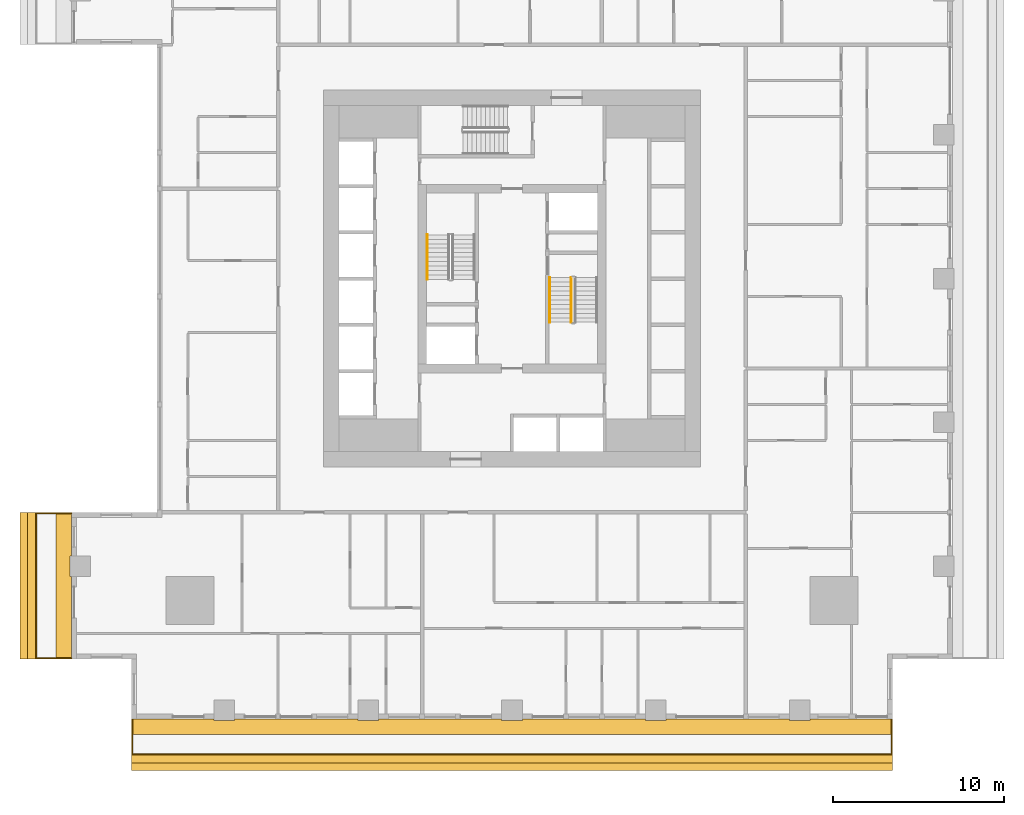
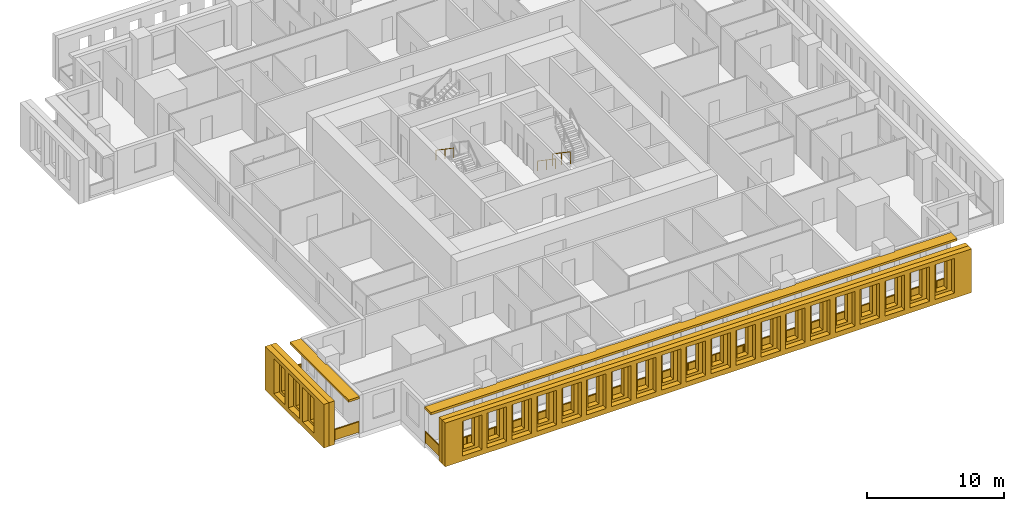
# One storey, part 10 of 14: 6 shading devices, 5 railings.
"""IFC4 building model written with IfcOpenShell, lengths in metres."""

from ifc_helpers import new_model, si_unit, direction, frame, origin, origin_2d, place, context, subcontext, project, spatial, polyline, rectangle, outline, extrude, material, layer, layer_set, type_object, element, save


model = new_model("IFC4")

# Units and contexts
model_context = context("Model", 3, precision=1e-05, world=origin(), true_north=direction((0.0, 1.0)))
body_context = subcontext(model_context, "Body", "Model", "MODEL_VIEW")
ifc_project = project(units=[si_unit("LENGTHUNIT", "METRE"), si_unit("AREAUNIT", "SQUARE_METRE"), si_unit("VOLUMEUNIT", "CUBIC_METRE"), si_unit("PLANEANGLEUNIT", "RADIAN"), si_unit("MASSUNIT", "GRAM", prefix="KILO")], contexts=[model_context])

# Site, building, storey
site_placement = place(None, origin())
site = spatial("IfcSite", under=ifc_project, at=site_placement, CompositionType="ELEMENT")
building_placement = place(site_placement, origin())
building = spatial("IfcBuilding", under=site, at=building_placement, Name="Khepri Terraces", CompositionType="ELEMENT")
storey_placement = place(building_placement, frame((0.0, 0.0, 122.10009765625)))
storey = spatial("IfcBuildingStorey", under=building, at=storey_placement, Name="L29", CompositionType="ELEMENT", Elevation=122.10009765625)

# Railings
ifc_material_1 = material(Name="Stainless steel grade 316", Category="steel")
railing_type_1 = type_object("IfcRailingType", Name="GRD-BAL-1100", PredefinedType="GUARDRAIL", material=ifc_material_1)
railing_1_placement = place(storey_placement, frame((-22.169921875, -25.719970703125, 0.0)))
element("IfcRailing", 1, at=railing_1_placement, inside=storey, type_object=railing_type_1, Name="Balcony guard L29 S", PredefinedType="GUARDRAIL", context=body_context, shape_type="SweptSolid", body=[
    extrude(rectangle(XDim=0.050048828125, YDim=0.06005859375, at=origin_2d()), frame((0.0, 0.0, 1.070068359375), z_axis=(0.0, -1.0, 0.0), x_axis=(1.0, 0.0, 0.0)), (0.0, 0.0, 1.0), 2.050048828125),
    extrude(rectangle(XDim=2.0, YDim=0.011962890625, at=origin_2d()), frame((0.0, -1.02490234375, 0.10009765625), z_axis=(0.0, 0.0, 1.0), x_axis=(0.0, -1.0, 0.0)), (0.0, 0.0, 1.0), 0.93994140625),
    extrude(rectangle(XDim=0.050048828125, YDim=0.06005859375, at=origin_2d()), frame((0.0, -2.050048828125, 1.070068359375), z_axis=(1.0, 0.0, 0.0), x_axis=(0.0, 1.0, 0.0)), (0.0, 0.0, 1.0), 44.33984375),
    extrude(rectangle(XDim=2.28369140625, YDim=0.011962890625, at=origin_2d()), frame((1.166748046875, -2.050048828125, 0.10009765625), z_axis=(0.0, 0.0, 1.0), x_axis=(1.0, 0.0, 0.0)), (0.0, 0.0, 1.0), 0.93994140625),
    extrude(rectangle(XDim=2.28369140625, YDim=0.011962890625, at=origin_2d()), frame((3.50048828125, -2.050048828125, 0.10009765625), z_axis=(0.0, 0.0, 1.0), x_axis=(1.0, 0.0, 0.0)), (0.0, 0.0, 1.0), 0.93994140625),
    extrude(rectangle(XDim=2.28369140625, YDim=0.011962890625, at=origin_2d()), frame((5.834228515625, -2.050048828125, 0.10009765625), z_axis=(0.0, 0.0, 1.0), x_axis=(1.0, 0.0, 0.0)), (0.0, 0.0, 1.0), 0.93994140625),
    extrude(rectangle(XDim=2.28369140625, YDim=0.011962890625, at=origin_2d()), frame((8.16796875, -2.050048828125, 0.10009765625), z_axis=(0.0, 0.0, 1.0), x_axis=(1.0, 0.0, 0.0)), (0.0, 0.0, 1.0), 0.93994140625),
    extrude(rectangle(XDim=2.28369140625, YDim=0.011962890625, at=origin_2d()), frame((10.50146484375, -2.050048828125, 0.10009765625), z_axis=(0.0, 0.0, 1.0), x_axis=(1.0, 0.0, 0.0)), (0.0, 0.0, 1.0), 0.93994140625),
    extrude(rectangle(XDim=2.28369140625, YDim=0.011962890625, at=origin_2d()), frame((12.835205078125, -2.050048828125, 0.10009765625), z_axis=(0.0, 0.0, 1.0), x_axis=(1.0, 0.0, 0.0)), (0.0, 0.0, 1.0), 0.93994140625),
    extrude(rectangle(XDim=2.28369140625, YDim=0.011962890625, at=origin_2d()), frame((15.1689453125, -2.050048828125, 0.10009765625), z_axis=(0.0, 0.0, 1.0), x_axis=(1.0, 0.0, 0.0)), (0.0, 0.0, 1.0), 0.93994140625),
    extrude(rectangle(XDim=2.28369140625, YDim=0.011962890625, at=origin_2d()), frame((17.502685546875, -2.050048828125, 0.10009765625), z_axis=(0.0, 0.0, 1.0), x_axis=(1.0, 0.0, 0.0)), (0.0, 0.0, 1.0), 0.93994140625),
    extrude(rectangle(XDim=2.28369140625, YDim=0.011962890625, at=origin_2d()), frame((19.836181640625, -2.050048828125, 0.10009765625), z_axis=(0.0, 0.0, 1.0), x_axis=(1.0, 0.0, 0.0)), (0.0, 0.0, 1.0), 0.93994140625),
    extrude(rectangle(XDim=2.28369140625, YDim=0.011962890625, at=origin_2d()), frame((22.169921875, -2.050048828125, 0.10009765625), z_axis=(0.0, 0.0, 1.0), x_axis=(1.0, 0.0, 0.0)), (0.0, 0.0, 1.0), 0.93994140625),
    extrude(rectangle(XDim=2.28369140625, YDim=0.011962890625, at=origin_2d()), frame((24.503662109375, -2.050048828125, 0.10009765625), z_axis=(0.0, 0.0, 1.0), x_axis=(1.0, 0.0, 0.0)), (0.0, 0.0, 1.0), 0.93994140625),
    extrude(rectangle(XDim=2.28369140625, YDim=0.011962890625, at=origin_2d()), frame((26.837158203125, -2.050048828125, 0.10009765625), z_axis=(0.0, 0.0, 1.0), x_axis=(1.0, 0.0, 0.0)), (0.0, 0.0, 1.0), 0.93994140625),
    extrude(rectangle(XDim=2.28369140625, YDim=0.011962890625, at=origin_2d()), frame((29.1708984375, -2.050048828125, 0.10009765625), z_axis=(0.0, 0.0, 1.0), x_axis=(1.0, 0.0, 0.0)), (0.0, 0.0, 1.0), 0.93994140625),
    extrude(rectangle(XDim=2.28369140625, YDim=0.011962890625, at=origin_2d()), frame((31.504638671875, -2.050048828125, 0.10009765625), z_axis=(0.0, 0.0, 1.0), x_axis=(1.0, 0.0, 0.0)), (0.0, 0.0, 1.0), 0.93994140625),
    extrude(rectangle(XDim=2.28369140625, YDim=0.011962890625, at=origin_2d()), frame((33.83837890625, -2.050048828125, 0.10009765625), z_axis=(0.0, 0.0, 1.0), x_axis=(1.0, 0.0, 0.0)), (0.0, 0.0, 1.0), 0.93994140625),
    extrude(rectangle(XDim=2.28369140625, YDim=0.011962890625, at=origin_2d()), frame((36.171875, -2.050048828125, 0.10009765625), z_axis=(0.0, 0.0, 1.0), x_axis=(1.0, 0.0, 0.0)), (0.0, 0.0, 1.0), 0.93994140625),
    extrude(rectangle(XDim=2.28369140625, YDim=0.011962890625, at=origin_2d()), frame((38.505615234375, -2.050048828125, 0.10009765625), z_axis=(0.0, 0.0, 1.0), x_axis=(1.0, 0.0, 0.0)), (0.0, 0.0, 1.0), 0.93994140625),
    extrude(rectangle(XDim=2.28369140625, YDim=0.011962890625, at=origin_2d()), frame((40.83935546875, -2.050048828125, 0.10009765625), z_axis=(0.0, 0.0, 1.0), x_axis=(1.0, 0.0, 0.0)), (0.0, 0.0, 1.0), 0.93994140625),
    extrude(rectangle(XDim=2.28369140625, YDim=0.011962890625, at=origin_2d()), frame((43.173095703125, -2.050048828125, 0.10009765625), z_axis=(0.0, 0.0, 1.0), x_axis=(1.0, 0.0, 0.0)), (0.0, 0.0, 1.0), 0.93994140625),
    extrude(rectangle(XDim=0.050048828125, YDim=0.06005859375, at=origin_2d()), frame((44.33984375, -2.050048828125, 1.070068359375), z_axis=(0.0, 1.0, 0.0), x_axis=(-1.0, 0.0, 0.0)), (0.0, 0.0, 1.0), 2.050048828125),
    extrude(rectangle(XDim=2.0, YDim=0.011962890625, at=origin_2d()), frame((44.33984375, -1.02490234375, 0.10009765625), z_axis=(0.0, 0.0, 1.0), x_axis=(0.0, 1.0, 0.0)), (0.0, 0.0, 1.0), 0.93994140625),
    extrude(rectangle(XDim=0.050048828125, YDim=0.050048828125, at=origin_2d()), origin(), (0.0, 0.0, 1.0), 1.0400390625),
    extrude(rectangle(XDim=0.050048828125, YDim=0.050048828125, at=origin_2d()), frame((0.0, -2.050048828125, 0.0)), (0.0, 0.0, 1.0), 1.0400390625),
    extrude(rectangle(XDim=0.050048828125, YDim=0.050048828125, at=origin_2d()), frame((2.333740234375, -2.050048828125, 0.0)), (0.0, 0.0, 1.0), 1.0400390625),
    extrude(rectangle(XDim=0.050048828125, YDim=0.050048828125, at=origin_2d()), frame((4.667236328125, -2.050048828125, 0.0)), (0.0, 0.0, 1.0), 1.0400390625),
    extrude(rectangle(XDim=0.050048828125, YDim=0.050048828125, at=origin_2d()), frame((7.0009765625, -2.050048828125, 0.0)), (0.0, 0.0, 1.0), 1.0400390625),
    extrude(rectangle(XDim=0.050048828125, YDim=0.050048828125, at=origin_2d()), frame((9.334716796875, -2.050048828125, 0.0)), (0.0, 0.0, 1.0), 1.0400390625),
    extrude(rectangle(XDim=0.050048828125, YDim=0.050048828125, at=origin_2d()), frame((11.66845703125, -2.050048828125, 0.0)), (0.0, 0.0, 1.0), 1.0400390625),
    extrude(rectangle(XDim=0.050048828125, YDim=0.050048828125, at=origin_2d()), frame((14.001953125, -2.050048828125, 0.0)), (0.0, 0.0, 1.0), 1.0400390625),
    extrude(rectangle(XDim=0.050048828125, YDim=0.050048828125, at=origin_2d()), frame((16.335693359375, -2.050048828125, 0.0)), (0.0, 0.0, 1.0), 1.0400390625),
    extrude(rectangle(XDim=0.050048828125, YDim=0.050048828125, at=origin_2d()), frame((18.66943359375, -2.050048828125, 0.0)), (0.0, 0.0, 1.0), 1.0400390625),
    extrude(rectangle(XDim=0.050048828125, YDim=0.050048828125, at=origin_2d()), frame((21.003173828125, -2.050048828125, 0.0)), (0.0, 0.0, 1.0), 1.0400390625),
    extrude(rectangle(XDim=0.050048828125, YDim=0.050048828125, at=origin_2d()), frame((23.336669921875, -2.050048828125, 0.0)), (0.0, 0.0, 1.0), 1.0400390625),
    extrude(rectangle(XDim=0.050048828125, YDim=0.050048828125, at=origin_2d()), frame((25.67041015625, -2.050048828125, 0.0)), (0.0, 0.0, 1.0), 1.0400390625),
    extrude(rectangle(XDim=0.050048828125, YDim=0.050048828125, at=origin_2d()), frame((28.004150390625, -2.050048828125, 0.0)), (0.0, 0.0, 1.0), 1.0400390625),
    extrude(rectangle(XDim=0.050048828125, YDim=0.050048828125, at=origin_2d()), frame((30.337890625, -2.050048828125, 0.0)), (0.0, 0.0, 1.0), 1.0400390625),
    extrude(rectangle(XDim=0.050048828125, YDim=0.050048828125, at=origin_2d()), frame((32.67138671875, -2.050048828125, 0.0)), (0.0, 0.0, 1.0), 1.0400390625),
    extrude(rectangle(XDim=0.050048828125, YDim=0.050048828125, at=origin_2d()), frame((35.005126953125, -2.050048828125, 0.0)), (0.0, 0.0, 1.0), 1.0400390625),
    extrude(rectangle(XDim=0.050048828125, YDim=0.050048828125, at=origin_2d()), frame((37.3388671875, -2.050048828125, 0.0)), (0.0, 0.0, 1.0), 1.0400390625),
    extrude(rectangle(XDim=0.050048828125, YDim=0.050048828125, at=origin_2d()), frame((39.672607421875, -2.050048828125, 0.0)), (0.0, 0.0, 1.0), 1.0400390625),
    extrude(rectangle(XDim=0.050048828125, YDim=0.050048828125, at=origin_2d()), frame((42.006103515625, -2.050048828125, 0.0)), (0.0, 0.0, 1.0), 1.0400390625),
    extrude(rectangle(XDim=0.050048828125, YDim=0.050048828125, at=origin_2d()), frame((44.33984375, -2.050048828125, 0.0)), (0.0, 0.0, 1.0), 1.0400390625),
    extrude(rectangle(XDim=0.050048828125, YDim=0.050048828125, at=origin_2d()), frame((44.33984375, 0.0, 0.0)), (0.0, 0.0, 1.0), 1.0400390625),
])
railing_2_placement = place(storey_placement, frame((-25.719970703125, -13.699951171875, 0.0)))
element("IfcRailing", 2, at=railing_2_placement, inside=storey, type_object=railing_type_1, Name="Balcony guard L29 W", PredefinedType="GUARDRAIL", context=body_context, shape_type="SweptSolid", body=[
    extrude(rectangle(XDim=0.050048828125, YDim=0.06005859375, at=origin_2d()), frame((0.0, 0.0, 1.070068359375), z_axis=(-1.0, 0.0, 0.0), x_axis=(0.0, -1.0, 0.0)), (0.0, 0.0, 1.0), 2.050048828125),
    extrude(rectangle(XDim=2.0, YDim=0.011962890625, at=origin_2d()), frame((-1.02490234375, 0.0, 0.10009765625), z_axis=(0.0, 0.0, 1.0), x_axis=(-1.0, 0.0, 0.0)), (0.0, 0.0, 1.0), 0.93994140625),
    extrude(rectangle(XDim=0.050048828125, YDim=0.06005859375, at=origin_2d()), frame((-2.050048828125, 0.0, 1.070068359375), z_axis=(0.0, -1.0, 0.0), x_axis=(1.0, 0.0, 0.0)), (0.0, 0.0, 1.0), 8.469970703125),
    extrude(rectangle(XDim=2.0673828125, YDim=0.011962890625, at=origin_2d()), frame((-2.050048828125, -1.058837890625, 0.10009765625), z_axis=(0.0, 0.0, 1.0), x_axis=(0.0, -1.0, 0.0)), (0.0, 0.0, 1.0), 0.93994140625),
    extrude(rectangle(XDim=2.0673828125, YDim=0.011962890625, at=origin_2d()), frame((-2.050048828125, -3.17626953125, 0.10009765625), z_axis=(0.0, 0.0, 1.0), x_axis=(0.0, -1.0, 0.0)), (0.0, 0.0, 1.0), 0.93994140625),
    extrude(rectangle(XDim=2.0673828125, YDim=0.011962890625, at=origin_2d()), frame((-2.050048828125, -5.293701171875, 0.10009765625), z_axis=(0.0, 0.0, 1.0), x_axis=(0.0, -1.0, 0.0)), (0.0, 0.0, 1.0), 0.93994140625),
    extrude(rectangle(XDim=2.0673828125, YDim=0.011962890625, at=origin_2d()), frame((-2.050048828125, -7.4111328125, 0.10009765625), z_axis=(0.0, 0.0, 1.0), x_axis=(0.0, -1.0, 0.0)), (0.0, 0.0, 1.0), 0.93994140625),
    extrude(rectangle(XDim=0.050048828125, YDim=0.06005859375, at=origin_2d()), frame((-2.050048828125, -8.469970703125, 1.070068359375), z_axis=(1.0, 0.0, 0.0), x_axis=(0.0, 1.0, 0.0)), (0.0, 0.0, 1.0), 2.050048828125),
    extrude(rectangle(XDim=2.0, YDim=0.011962890625, at=origin_2d()), frame((-1.02490234375, -8.469970703125, 0.10009765625), z_axis=(0.0, 0.0, 1.0), x_axis=(1.0, 0.0, 0.0)), (0.0, 0.0, 1.0), 0.93994140625),
    extrude(rectangle(XDim=0.050048828125, YDim=0.050048828125, at=origin_2d()), origin(), (0.0, 0.0, 1.0), 1.0400390625),
    extrude(rectangle(XDim=0.050048828125, YDim=0.050048828125, at=origin_2d()), frame((-2.050048828125, 0.0, 0.0)), (0.0, 0.0, 1.0), 1.0400390625),
    extrude(rectangle(XDim=0.050048828125, YDim=0.050048828125, at=origin_2d()), frame((-2.050048828125, -2.117431640625, 0.0)), (0.0, 0.0, 1.0), 1.0400390625),
    extrude(rectangle(XDim=0.050048828125, YDim=0.050048828125, at=origin_2d()), frame((-2.050048828125, -4.23486328125, 0.0)), (0.0, 0.0, 1.0), 1.0400390625),
    extrude(rectangle(XDim=0.050048828125, YDim=0.050048828125, at=origin_2d()), frame((-2.050048828125, -6.3525390625, 0.0)), (0.0, 0.0, 1.0), 1.0400390625),
    extrude(rectangle(XDim=0.050048828125, YDim=0.050048828125, at=origin_2d()), frame((-2.050048828125, -8.469970703125, 0.0)), (0.0, 0.0, 1.0), 1.0400390625),
    extrude(rectangle(XDim=0.050048828125, YDim=0.050048828125, at=origin_2d()), frame((0.0, -8.469970703125, 0.0)), (0.0, 0.0, 1.0), 1.0400390625),
])
ifc_material_2 = material(Name="Stainless steel 316", Category="steel")
railing_type_2 = type_object("IfcRailingType", Name="RL-CORE-GUARD", PredefinedType="GUARDRAIL", material=ifc_material_2)
railing_3_placement = place(storey_placement, frame((3.449951171875, 0.050048828125, 0.17724609375)))
element("IfcRailing", 3, at=railing_3_placement, inside=storey, type_object=railing_type_2, Name="L29 ST-2 stair guard 1", PredefinedType="GUARDRAIL", context=body_context, shape_type="SweptSolid", body=[
    extrude(rectangle(XDim=0.050048828125, YDim=0.06005859375, at=origin_2d()), frame((0.0, 0.0, 1.070068359375), z_axis=(0.0, -0.826240473404, 0.563317565952), x_axis=(1.0, 0.0, 0.0)), (0.0, 0.0, 1.0), 3.14697265625),
    extrude(rectangle(XDim=0.050048828125, YDim=0.050048828125, at=origin_2d()), origin(), (0.0, 0.0, 1.0), 1.0400390625),
    extrude(rectangle(XDim=0.050048828125, YDim=0.050048828125, at=origin_2d()), frame((0.0, -1.300048828125, 0.88623046875)), (0.0, 0.0, 1.0), 1.0400390625),
    extrude(rectangle(XDim=0.050048828125, YDim=0.050048828125, at=origin_2d()), frame((0.0, -2.60009765625, 1.772705078125)), (0.0, 0.0, 1.0), 1.0400390625),
])
railing_type_3 = type_object("IfcRailingType", Name="RL-CORE-HANDRAIL", PredefinedType="HANDRAIL", material=ifc_material_2)
for number, where, name in (
    (4, (-4.949951171875, 2.550048828125, 2.127197265625), "L29 ST-1 stair handrail 2"),
    (5, (2.199951171875, 0.050048828125, 0.17724609375), "L29 ST-2 stair handrail 1"),
):
    element("IfcRailing", number, at=place(storey_placement, frame(where)), inside=storey, type_object=railing_type_3, Name=name, PredefinedType="HANDRAIL", context=body_context, shape_type="SweptSolid", body=[
        extrude(rectangle(XDim=0.050048828125, YDim=0.050048828125, at=origin_2d()), frame((0.0, 0.0, 0.875), z_axis=(0.0, -0.826240473404, 0.563317565952), x_axis=(1.0, 0.0, 0.0)), (0.0, 0.0, 1.0), 3.14697265625),
        extrude(rectangle(XDim=0.050048828125, YDim=0.050048828125, at=origin_2d()), origin(), (0.0, 0.0, 1.0), 0.849853515625),
        extrude(rectangle(XDim=0.050048828125, YDim=0.050048828125, at=origin_2d()), frame((0.0, -1.300048828125, 0.88623046875)), (0.0, 0.0, 1.0), 0.849853515625),
        extrude(rectangle(XDim=0.050048828125, YDim=0.050048828125, at=origin_2d()), frame((0.0, -2.60009765625, 1.772705078125)), (0.0, 0.0, 1.0), 0.849853515625),
    ])

# Shading devices
ifc_material_3 = material(Name="Precast concrete C50/60 warm stone", Category="masonry")
shading_device_type_1 = type_object("IfcShadingDeviceType", Name="SCR-CELL-INNER-450", PredefinedType="USERDEFINED", material=ifc_material_3)
shading_device_1_placement = place(storey_placement, frame((-22.219970703125, -27.820068359375, -0.25), z_axis=(0.0, -1.0, 0.0), x_axis=(1.0, 0.0, 0.0)))
element("IfcShadingDevice", 6, at=shading_device_1_placement, inside=storey, type_object=shading_device_type_1, Name="Cell screen L29 S in", ObjectType="SCREEN", PredefinedType="USERDEFINED", context=body_context, shape_type="SweptSolid", body=[
    extrude(outline(polyline([(0.0, 0.0), (44.43994140625, 0.0), (44.43994140625, 3.89990234375), (0.0, 3.89990234375), (0.0, 0.0)]), holes=[polyline([(1.797607421875, 0.699951171875), (2.742431640625, 0.699951171875), (2.742431640625, 3.300048828125), (1.797607421875, 3.300048828125), (1.797607421875, 0.699951171875)]), polyline([(3.8974609375, 0.699951171875), (4.842529296875, 0.699951171875), (4.842529296875, 3.300048828125), (3.8974609375, 3.300048828125), (3.8974609375, 0.699951171875)]), polyline([(5.99755859375, 0.699951171875), (6.9423828125, 0.699951171875), (6.9423828125, 3.300048828125), (5.99755859375, 3.300048828125), (5.99755859375, 0.699951171875)]), polyline([(8.097412109375, 0.699951171875), (9.04248046875, 0.699951171875), (9.04248046875, 3.300048828125), (8.097412109375, 3.300048828125), (8.097412109375, 0.699951171875)]), polyline([(10.197509765625, 0.699951171875), (11.142578125, 0.699951171875), (11.142578125, 3.300048828125), (10.197509765625, 3.300048828125), (10.197509765625, 0.699951171875)]), polyline([(12.297607421875, 0.699951171875), (13.242431640625, 0.699951171875), (13.242431640625, 3.300048828125), (12.297607421875, 3.300048828125), (12.297607421875, 0.699951171875)]), polyline([(14.3974609375, 0.699951171875), (15.342529296875, 0.699951171875), (15.342529296875, 3.300048828125), (14.3974609375, 3.300048828125), (14.3974609375, 0.699951171875)]), polyline([(16.49755859375, 0.699951171875), (17.4423828125, 0.699951171875), (17.4423828125, 3.300048828125), (16.49755859375, 3.300048828125), (16.49755859375, 0.699951171875)]), polyline([(18.597412109375, 0.699951171875), (19.54248046875, 0.699951171875), (19.54248046875, 3.300048828125), (18.597412109375, 3.300048828125), (18.597412109375, 0.699951171875)]), polyline([(20.697509765625, 0.699951171875), (21.642578125, 0.699951171875), (21.642578125, 3.300048828125), (20.697509765625, 3.300048828125), (20.697509765625, 0.699951171875)]), polyline([(22.797607421875, 0.699951171875), (23.742431640625, 0.699951171875), (23.742431640625, 3.300048828125), (22.797607421875, 3.300048828125), (22.797607421875, 0.699951171875)]), polyline([(24.8974609375, 0.699951171875), (25.842529296875, 0.699951171875), (25.842529296875, 3.300048828125), (24.8974609375, 3.300048828125), (24.8974609375, 0.699951171875)]), polyline([(26.99755859375, 0.699951171875), (27.9423828125, 0.699951171875), (27.9423828125, 3.300048828125), (26.99755859375, 3.300048828125), (26.99755859375, 0.699951171875)]), polyline([(29.097412109375, 0.699951171875), (30.04248046875, 0.699951171875), (30.04248046875, 3.300048828125), (29.097412109375, 3.300048828125), (29.097412109375, 0.699951171875)]), polyline([(31.197509765625, 0.699951171875), (32.142578125, 0.699951171875), (32.142578125, 3.300048828125), (31.197509765625, 3.300048828125), (31.197509765625, 0.699951171875)]), polyline([(33.297607421875, 0.699951171875), (34.242431640625, 0.699951171875), (34.242431640625, 3.300048828125), (33.297607421875, 3.300048828125), (33.297607421875, 0.699951171875)]), polyline([(35.3974609375, 0.699951171875), (36.342529296875, 0.699951171875), (36.342529296875, 3.300048828125), (35.3974609375, 3.300048828125), (35.3974609375, 0.699951171875)]), polyline([(37.49755859375, 0.699951171875), (38.4423828125, 0.699951171875), (38.4423828125, 3.300048828125), (37.49755859375, 3.300048828125), (37.49755859375, 0.699951171875)]), polyline([(39.597412109375, 0.699951171875), (40.54248046875, 0.699951171875), (40.54248046875, 3.300048828125), (39.597412109375, 3.300048828125), (39.597412109375, 0.699951171875)]), polyline([(41.697509765625, 0.699951171875), (42.642578125, 0.699951171875), (42.642578125, 3.300048828125), (41.697509765625, 3.300048828125), (41.697509765625, 0.699951171875)])]), origin(), (0.0, 0.0, 1.0), 0.449951171875),
])
shading_device_2_placement = place(storey_placement, frame((-27.820068359375, -13.64990234375, -0.25), z_axis=(-1.0, 0.0, 0.0), x_axis=(0.0, -1.0, 0.0)))
element("IfcShadingDevice", 7, at=shading_device_2_placement, inside=storey, type_object=shading_device_type_1, Name="Cell screen L29 W in", ObjectType="SCREEN", PredefinedType="USERDEFINED", context=body_context, shape_type="SweptSolid", body=[
    extrude(outline(polyline([(0.0, 0.0), (8.570068359375, 0.0), (8.570068359375, 3.89990234375), (0.0, 3.89990234375), (0.0, 0.0)]), holes=[polyline([(1.62744140625, 0.699951171875), (2.572509765625, 0.699951171875), (2.572509765625, 3.300048828125), (1.62744140625, 3.300048828125), (1.62744140625, 0.699951171875)]), polyline([(3.7275390625, 0.699951171875), (4.672607421875, 0.699951171875), (4.672607421875, 3.300048828125), (3.7275390625, 3.300048828125), (3.7275390625, 0.699951171875)]), polyline([(5.827392578125, 0.699951171875), (6.7724609375, 0.699951171875), (6.7724609375, 3.300048828125), (5.827392578125, 3.300048828125), (5.827392578125, 0.699951171875)])]), origin(), (0.0, 0.0, 1.0), 0.449951171875),
])
shading_device_type_2 = type_object("IfcShadingDeviceType", Name="SCR-CELL-OUTER-450", PredefinedType="USERDEFINED", material=ifc_material_3)
shading_device_3_placement = place(storey_placement, frame((-22.219970703125, -28.27001953125, -0.25), z_axis=(0.0, -1.0, 0.0), x_axis=(1.0, 0.0, 0.0)))
element("IfcShadingDevice", 8, at=shading_device_3_placement, inside=storey, type_object=shading_device_type_2, Name="Cell screen L29 S out", ObjectType="SCREEN", PredefinedType="USERDEFINED", context=body_context, shape_type="SweptSolid", body=[
    extrude(outline(polyline([(0.0, 0.0), (44.43994140625, 0.0), (44.43994140625, 3.89990234375), (0.0, 3.89990234375), (0.0, 0.0)]), holes=[polyline([(1.447509765625, 0.449951171875), (3.092529296875, 0.449951171875), (3.092529296875, 3.550048828125), (1.447509765625, 3.550048828125), (1.447509765625, 0.449951171875)]), polyline([(3.547607421875, 0.449951171875), (5.1923828125, 0.449951171875), (5.1923828125, 3.550048828125), (3.547607421875, 3.550048828125), (3.547607421875, 0.449951171875)]), polyline([(5.6474609375, 0.449951171875), (7.29248046875, 0.449951171875), (7.29248046875, 3.550048828125), (5.6474609375, 3.550048828125), (5.6474609375, 0.449951171875)]), polyline([(7.74755859375, 0.449951171875), (9.392578125, 0.449951171875), (9.392578125, 3.550048828125), (7.74755859375, 3.550048828125), (7.74755859375, 0.449951171875)]), polyline([(9.847412109375, 0.449951171875), (11.492431640625, 0.449951171875), (11.492431640625, 3.550048828125), (9.847412109375, 3.550048828125), (9.847412109375, 0.449951171875)]), polyline([(11.947509765625, 0.449951171875), (13.592529296875, 0.449951171875), (13.592529296875, 3.550048828125), (11.947509765625, 3.550048828125), (11.947509765625, 0.449951171875)]), polyline([(14.047607421875, 0.449951171875), (15.6923828125, 0.449951171875), (15.6923828125, 3.550048828125), (14.047607421875, 3.550048828125), (14.047607421875, 0.449951171875)]), polyline([(16.1474609375, 0.449951171875), (17.79248046875, 0.449951171875), (17.79248046875, 3.550048828125), (16.1474609375, 3.550048828125), (16.1474609375, 0.449951171875)]), polyline([(18.24755859375, 0.449951171875), (19.892578125, 0.449951171875), (19.892578125, 3.550048828125), (18.24755859375, 3.550048828125), (18.24755859375, 0.449951171875)]), polyline([(20.347412109375, 0.449951171875), (21.992431640625, 0.449951171875), (21.992431640625, 3.550048828125), (20.347412109375, 3.550048828125), (20.347412109375, 0.449951171875)]), polyline([(22.447509765625, 0.449951171875), (24.092529296875, 0.449951171875), (24.092529296875, 3.550048828125), (22.447509765625, 3.550048828125), (22.447509765625, 0.449951171875)]), polyline([(24.547607421875, 0.449951171875), (26.1923828125, 0.449951171875), (26.1923828125, 3.550048828125), (24.547607421875, 3.550048828125), (24.547607421875, 0.449951171875)]), polyline([(26.6474609375, 0.449951171875), (28.29248046875, 0.449951171875), (28.29248046875, 3.550048828125), (26.6474609375, 3.550048828125), (26.6474609375, 0.449951171875)]), polyline([(28.74755859375, 0.449951171875), (30.392578125, 0.449951171875), (30.392578125, 3.550048828125), (28.74755859375, 3.550048828125), (28.74755859375, 0.449951171875)]), polyline([(30.847412109375, 0.449951171875), (32.492431640625, 0.449951171875), (32.492431640625, 3.550048828125), (30.847412109375, 3.550048828125), (30.847412109375, 0.449951171875)]), polyline([(32.947509765625, 0.449951171875), (34.592529296875, 0.449951171875), (34.592529296875, 3.550048828125), (32.947509765625, 3.550048828125), (32.947509765625, 0.449951171875)]), polyline([(35.047607421875, 0.449951171875), (36.6923828125, 0.449951171875), (36.6923828125, 3.550048828125), (35.047607421875, 3.550048828125), (35.047607421875, 0.449951171875)]), polyline([(37.1474609375, 0.449951171875), (38.79248046875, 0.449951171875), (38.79248046875, 3.550048828125), (37.1474609375, 3.550048828125), (37.1474609375, 0.449951171875)]), polyline([(39.24755859375, 0.449951171875), (40.892578125, 0.449951171875), (40.892578125, 3.550048828125), (39.24755859375, 3.550048828125), (39.24755859375, 0.449951171875)]), polyline([(41.347412109375, 0.449951171875), (42.992431640625, 0.449951171875), (42.992431640625, 3.550048828125), (41.347412109375, 3.550048828125), (41.347412109375, 0.449951171875)])]), origin(), (0.0, 0.0, 1.0), 0.449951171875),
])
shading_device_4_placement = place(storey_placement, frame((-28.27001953125, -13.64990234375, -0.25), z_axis=(-1.0, 0.0, 0.0), x_axis=(0.0, -1.0, 0.0)))
element("IfcShadingDevice", 9, at=shading_device_4_placement, inside=storey, type_object=shading_device_type_2, Name="Cell screen L29 W out", ObjectType="SCREEN", PredefinedType="USERDEFINED", context=body_context, shape_type="SweptSolid", body=[
    extrude(outline(polyline([(0.0, 0.0), (8.570068359375, 0.0), (8.570068359375, 3.89990234375), (0.0, 3.89990234375), (0.0, 0.0)]), holes=[polyline([(1.277587890625, 0.449951171875), (2.922607421875, 0.449951171875), (2.922607421875, 3.550048828125), (1.277587890625, 3.550048828125), (1.277587890625, 0.449951171875)]), polyline([(3.37744140625, 0.449951171875), (5.0224609375, 0.449951171875), (5.0224609375, 3.550048828125), (3.37744140625, 3.550048828125), (3.37744140625, 0.449951171875)]), polyline([(5.4775390625, 0.449951171875), (7.12255859375, 0.449951171875), (7.12255859375, 3.550048828125), (5.4775390625, 3.550048828125), (5.4775390625, 0.449951171875)])]), origin(), (0.0, 0.0, 1.0), 0.449951171875),
])
ifc_layer = layer(ifc_material_3, 0.199951171875, Name="Precast concrete C50/60 warm stone", Category="masonry")
ifc_layer_set = layer_set([ifc_layer], Name="Precast concrete C50/60 warm stone")
shading_device_type_3 = type_object("IfcShadingDeviceType", Name="SSH-BAND-STONE-200", PredefinedType="USERDEFINED", material=ifc_layer_set)
shading_device_5_placement = place(storey_placement, frame((0.0, 0.0, 3.099853515625)))
element("IfcShadingDevice", 10, at=shading_device_5_placement, inside=storey, type_object=shading_device_type_3, Name="Sunshade band L29 S", ObjectType="SUNSHADE", PredefinedType="USERDEFINED", context=body_context, shape_type="SweptSolid", body=[
    extrude(outline(polyline([(-17.39990234375, -25.719970703125), (-22.219970703125, -25.719970703125), (-22.219970703125, -26.6201171875), (22.219970703125, -26.6201171875), (22.219970703125, -25.719970703125), (17.39990234375, -25.719970703125), (17.39990234375, -25.800048828125), (16.199951171875, -25.800048828125), (16.199951171875, -25.719970703125), (9.0, -25.719970703125), (9.0, -25.800048828125), (7.800048828125, -25.800048828125), (7.800048828125, -25.719970703125), (0.60009765625, -25.719970703125), (0.60009765625, -25.800048828125), (-0.60009765625, -25.800048828125), (-0.60009765625, -25.719970703125), (-7.800048828125, -25.719970703125), (-7.800048828125, -25.800048828125), (-9.0, -25.800048828125), (-9.0, -25.719970703125), (-16.199951171875, -25.719970703125), (-16.199951171875, -25.800048828125), (-17.39990234375, -25.800048828125), (-17.39990234375, -25.719970703125)])), origin(), (0.0, 0.0, 1.0), 0.199951171875),
])
shading_device_6_placement = place(storey_placement, frame((0.0, 0.0, 3.099853515625)))
element("IfcShadingDevice", 11, at=shading_device_6_placement, inside=storey, type_object=shading_device_type_3, Name="Sunshade band L29 W", ObjectType="SUNSHADE", PredefinedType="USERDEFINED", context=body_context, shape_type="SweptSolid", body=[
    extrude(outline(polyline([(-25.719970703125, -16.199951171875), (-25.719970703125, -13.64990234375), (-26.6201171875, -13.64990234375), (-26.6201171875, -22.219970703125), (-25.719970703125, -22.219970703125), (-25.719970703125, -17.39990234375), (-25.800048828125, -17.39990234375), (-25.800048828125, -16.199951171875), (-25.719970703125, -16.199951171875)])), origin(), (0.0, 0.0, 1.0), 0.199951171875),
])

save(model, "model.ifc")
